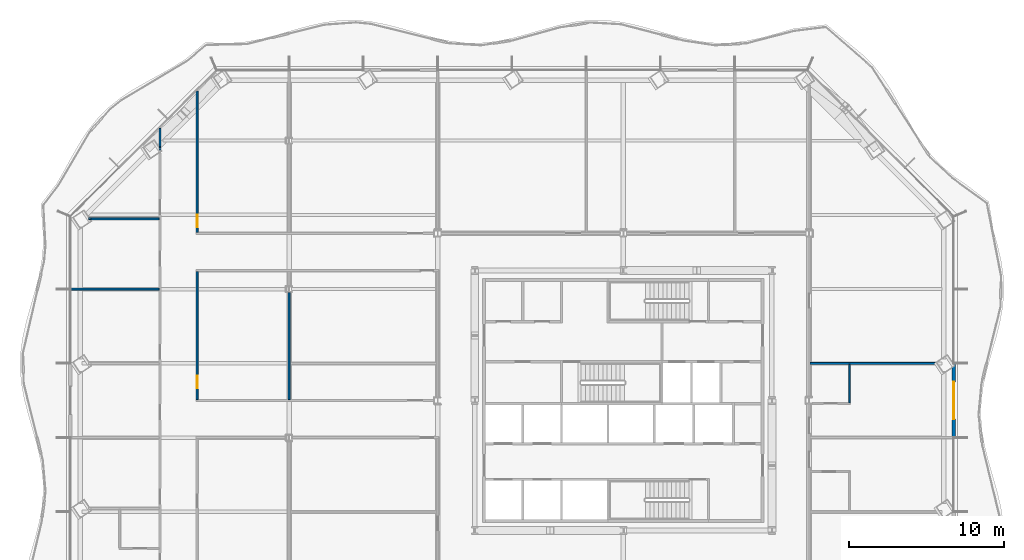
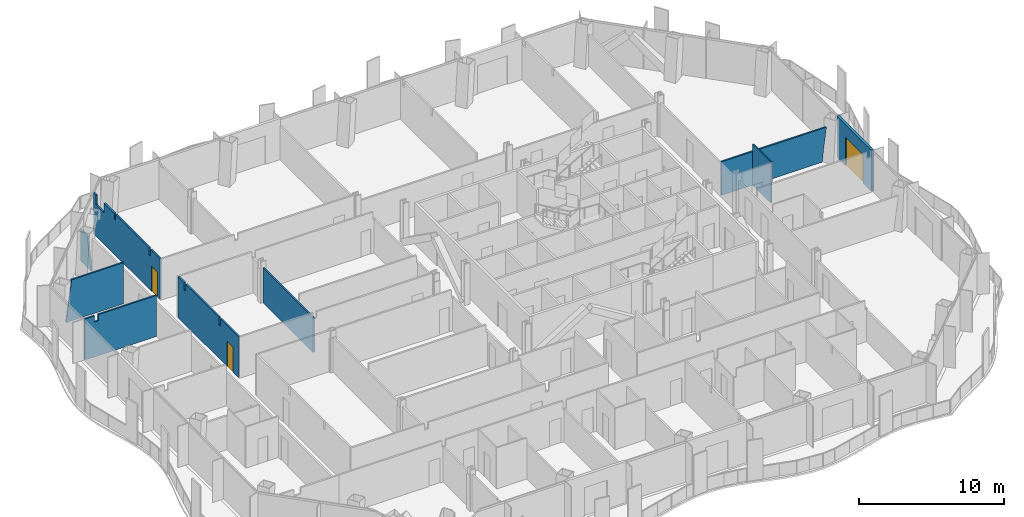
# One storey, part 11 of 20: 9 walls, 3 doors, 3 openings.
"""IFC4 building model written with IfcOpenShell, lengths in metres."""

from ifc_helpers import new_model, si_unit, direction, frame, frame_2d, origin, place, context, subcontext, project, spatial, polyline, rectangle, outline, extrude, material, layer, layer_set, type_object, element, fill, save


model = new_model("IFC4")

# Units and contexts
model_context = context("Model", 3, precision=1e-05, world=origin(), true_north=direction((0.0, 1.0)))
body_context = subcontext(model_context, "Body", "Model", "MODEL_VIEW")
ifc_project = project(units=[si_unit("LENGTHUNIT", "METRE"), si_unit("AREAUNIT", "SQUARE_METRE"), si_unit("VOLUMEUNIT", "CUBIC_METRE"), si_unit("PLANEANGLEUNIT", "RADIAN"), si_unit("MASSUNIT", "GRAM", prefix="KILO")], contexts=[model_context])

# Site, building, storey
site_placement = place(None, origin())
site = spatial("IfcSite", under=ifc_project, at=site_placement, CompositionType="ELEMENT")
building_placement = place(site_placement, origin())
building = spatial("IfcBuilding", under=site, at=building_placement, Name="Cairn Pilgrim Tower", CompositionType="ELEMENT")
storey_placement = place(building_placement, frame((0.0, 0.0, 87.0)))
storey = spatial("IfcBuildingStorey", under=building, at=storey_placement, Name="L20", CompositionType="ELEMENT", Elevation=87.0)

# Wall, opening, door
ifc_material_1 = material(Name="Bronze anodised aluminium insulated sandwich panel with mineral wool fill", Category="aluminium")
ifc_layer_1 = layer(ifc_material_1, 0.199951171875)
ifc_layer_set_1 = layer_set([ifc_layer_1], Name="BRONZE INFILL FRAME WALL 200")
wall_type_1 = type_object("IfcWallType", Name="BRONZE INFILL FRAME WALL 200", PredefinedType="NOTDEFINED", material=ifc_layer_set_1)
wall_1_placement = place(storey_placement, frame((28.550048828125, 0.030029296875, 0.0), z_axis=(0.0, 0.0, 1.0), x_axis=(0.0, 1.0, 0.0)))
wall_1 = element("IfcWall", 1, at=wall_1_placement, inside=storey, type_object=wall_type_1, Name="Bronze infill frame wall IW-E4", PredefinedType="NOTDEFINED", context=body_context, shape_type="SweptSolid", body=[
    extrude(rectangle(XDim=4.739990234375, YDim=0.199951171875, at=frame_2d((2.3701171875, 0.0))), origin(), (0.0, 0.0, 1.0), 3.449951171875),
])
opening_1_placement = place(wall_1_placement, frame((1.169921875, 0.0, 0.0)))
opening_1 = element("IfcOpeningElement", 2, at=opening_1_placement, cuts=wall_1, Name="Opening 2022B", PredefinedType="OPENING", context=body_context, shape_type="SweptSolid", body=[
    extrude(rectangle(XDim=2.39990234375, YDim=2.39990234375, at=frame_2d((1.199951171875, 1.199951171875))), frame((0.0, 0.10986328125, 0.0), z_axis=(0.0, -1.0, 0.0), x_axis=(1.0, 0.0, 0.0)), (0.0, 0.0, 1.0), 0.219970703125),
])
ifc_material_2 = material(Name="Bronze anodised aluminium frame with tinted low-E glass", Category="aluminium")
door_type_1 = type_object("IfcDoorType", Name="BALCONY SLIDING DOOR 2400x2400", OperationType="DOUBLE_DOOR_SLIDING", PredefinedType="DOOR", material=ifc_material_2)
door_1_placement = place(opening_1_placement, origin())
door_1 = element("IfcDoor", 3, at=door_1_placement, inside=storey, type_object=door_type_1, Name="Balcony sliding door 2022B", OperationType="SINGLE_SWING_LEFT", OverallHeight=2.39990234375, OverallWidth=2.39990234375, PredefinedType="DOOR", context=body_context, shape_type="SweptSolid", body=[
    extrude(rectangle(XDim=2.39990234375, YDim=2.39990234375, at=frame_2d((1.199951171875, 1.199951171875))), frame((0.0, 0.02490234375, 0.0), z_axis=(0.0, -1.0, 0.0), x_axis=(1.0, 0.0, 0.0)), (0.0, 0.0, 1.0), 0.050048828125),
])
fill(opening_1, door_1)

# Wall
ifc_material_3 = material(Name="Gypsum partition")
ifc_layer_2 = layer(ifc_material_3, 0.10009765625)
ifc_layer_set_2 = layer_set([ifc_layer_2], Name="PARTITION 100 DRYWALL")
wall_type_2 = type_object("IfcWallType", Name="PARTITION 100 DRYWALL", PredefinedType="PARTITIONING", material=ifc_layer_set_2)
wall_2_placement = place(storey_placement, frame((21.800048828125, 2.25, 0.0), z_axis=(0.0, 0.0, 1.0), x_axis=(0.0, 1.0, 0.0)))
element("IfcWall", 4, at=wall_2_placement, inside=storey, type_object=wall_type_2, Name="PARTITION W058", PredefinedType="PARTITIONING", context=body_context, shape_type="SweptSolid", body=[
    extrude(rectangle(XDim=2.487548828125, YDim=0.10009765625, at=frame_2d((1.24365234375, 0.0))), origin(), (0.0, 0.0, 1.0), 3.449951171875),
])

# Wall, opening, door
ifc_layer_3 = layer(ifc_material_3, 0.125)
ifc_layer_set_3 = layer_set([ifc_layer_3], Name="PARTITION 125 DRYWALL EI 60")
wall_type_3 = type_object("IfcWallType", Name="PARTITION 125 DRYWALL EI 60", PredefinedType="PARTITIONING", material=ifc_layer_set_3)
wall_3_placement = place(storey_placement, frame((-20.35009765625, 2.46240234375, 0.0), z_axis=(0.0, 0.0, 1.0), x_axis=(0.0, 1.0, 0.0)))
wall_3 = element("IfcWall", 5, at=wall_3_placement, inside=storey, type_object=wall_type_3, Name="PARTITION W060", PredefinedType="PARTITIONING", context=body_context, shape_type="SweptSolid", body=[
    extrude(outline(polyline([(0.0, 0.0), (8.275146484375, 0.0), (8.27490234375, 3.449951171875), (7.461181640625, 3.449951171875), (7.459228515625, 2.830078125), (7.2412109375, 2.830078125), (7.2392578125, 3.449951171875), (2.6611328125, 3.449951171875), (2.6591796875, 2.830078125), (2.441162109375, 2.830078125), (2.439208984375, 3.449951171875), (0.0, 3.449951171875), (0.0, 0.0)])), frame((0.0, 0.0625, 0.0), z_axis=(0.0, -1.0, 0.0), x_axis=(1.0, 0.0, 0.0)), (0.0, 0.0, 1.0), 0.125),
])
opening_2_placement = place(wall_3_placement, frame((0.737548828125, 0.0, 0.0)))
opening_2 = element("IfcOpeningElement", 6, at=opening_2_placement, cuts=wall_3, Name="Opening 2030", PredefinedType="OPENING", context=body_context, shape_type="SweptSolid", body=[
    extrude(rectangle(XDim=0.800048828125, YDim=2.10009765625, at=frame_2d((0.39990234375, 1.050048828125))), frame((0.0, 0.072509765625, 0.0), z_axis=(0.0, -1.0, 0.0), x_axis=(1.0, 0.0, 0.0)), (0.0, 0.0, 1.0), 0.14501953125),
])
ifc_material_4 = material(Name="Steel-faced fire door leaf", Category="steel")
door_type_2 = type_object("IfcDoorType", Name="FIRE DOOR 800x2100 FD30S", OperationType="NOTDEFINED", PredefinedType="DOOR", material=ifc_material_4)
door_2_placement = place(opening_2_placement, frame((0.800048828125, 0.0, 0.0), z_axis=(0.0, 0.0, 1.0), x_axis=(-1.0, 0.0, 0.0)))
door_2 = element("IfcDoor", 7, at=door_2_placement, inside=storey, type_object=door_type_2, Name="DOOR 2030", OperationType="SINGLE_SWING_LEFT", OverallHeight=2.10009765625, OverallWidth=0.800048828125, PredefinedType="DOOR", context=body_context, shape_type="SweptSolid", body=[
    extrude(rectangle(XDim=0.800048828125, YDim=2.10009765625, at=frame_2d((0.39990234375, 1.050048828125))), frame((0.0, 0.02490234375, 0.0), z_axis=(0.0, -1.0, 0.0), x_axis=(1.0, 0.0, 0.0)), (0.0, 0.0, 1.0), 0.050048828125),
])
fill(opening_2, door_2)

# Walls
wall_4_placement = place(storey_placement, frame((-14.39990234375, 2.46240234375, 0.0), z_axis=(0.0, 0.0, 1.0), x_axis=(0.0, 1.0, 0.0)))
element("IfcWall", 8, at=wall_4_placement, inside=storey, type_object=wall_type_3, Name="PARTITION W061", PredefinedType="PARTITIONING", context=body_context, shape_type="SweptSolid", body=[
    extrude(rectangle(XDim=6.925048828125, YDim=0.125, at=frame_2d((3.46240234375, 0.0))), origin(), (0.0, 0.0, 1.0), 2.929931640625),
])
wall_5_placement = place(storey_placement, frame((19.262451171875, 4.800048828125, 0.0), z_axis=(0.0, 0.0, 1.0), x_axis=(1.0, 0.0, 0.0)))
element("IfcWall", 9, at=wall_5_placement, inside=storey, type_object=wall_type_3, Name="PARTITION W066", PredefinedType="PARTITIONING", context=body_context, shape_type="SweptSolid", body=[
    extrude(outline(polyline([(0.0, 0.0), (8.024658203125, 0.0), (8.1015625, 0.862548828125), (8.210205078125, 1.72509765625), (8.321044921875, 2.58740234375), (8.352294921875, 2.830078125), (0.0, 2.830078125), (0.0, 2.58740234375), (0.0, 1.72509765625), (0.0, 0.862548828125), (0.0, 0.0)])), frame((0.0, 0.0625, 0.0), z_axis=(0.0, -1.0, 0.0), x_axis=(1.0, 0.0, 0.0)), (0.0, 0.0, 1.0), 0.125),
])
wall_6_placement = place(storey_placement, frame((-28.489990234375, 9.60009765625, 0.0), z_axis=(0.0, 0.0, 1.0), x_axis=(1.0, 0.0, 0.0)))
element("IfcWall", 10, at=wall_6_placement, inside=storey, type_object=wall_type_3, Name="PARTITION W067", PredefinedType="PARTITIONING", context=body_context, shape_type="SweptSolid", body=[
    extrude(outline(polyline([(0.0, 0.0), (5.677490234375, 0.0), (5.677490234375, 3.449951171875), (1.060546875, 3.449951171875), (1.05859375, 2.929931640625), (0.760498046875, 2.929931640625), (0.758544921875, 3.449951171875), (0.0, 3.449951171875), (0.0, 0.0)])), frame((0.0, 0.0625, 0.0), z_axis=(0.0, -1.0, 0.0), x_axis=(1.0, 0.0, 0.0)), (0.0, 0.0, 1.0), 0.125),
])

# Wall, opening, door
wall_7_placement = place(storey_placement, frame((-20.35009765625, 13.262451171875, 0.0), z_axis=(0.0, 0.0, 1.0), x_axis=(0.0, 1.0, 0.0)))
wall_7 = element("IfcWall", 11, at=wall_7_placement, inside=storey, type_object=wall_type_3, Name="PARTITION W073", PredefinedType="PARTITIONING", context=body_context, shape_type="SweptSolid", body=[
    extrude(outline(polyline([(0.0, 0.0), (9.126220703125, 0.0), (9.126220703125, 3.449951171875), (8.765380859375, 3.449951171875), (8.763427734375, 2.6298828125), (7.650390625, 2.6298828125), (7.6484375, 3.449951171875), (6.24609375, 3.449951171875), (6.244140625, 2.97998046875), (6.05615234375, 2.97998046875), (6.05419921875, 3.449951171875), (1.456298828125, 3.449951171875), (1.4541015625, 2.8798828125), (1.24609375, 2.8798828125), (1.244140625, 3.449951171875), (0.0, 3.449951171875), (0.0, 0.0)])), frame((0.0, 0.0625, 0.0), z_axis=(0.0, -1.0, 0.0), x_axis=(1.0, 0.0, 0.0)), (0.0, 0.0, 1.0), 0.125),
])
opening_3_placement = place(wall_7_placement, frame((0.33349609375, 0.0, 0.0)))
opening_3 = element("IfcOpeningElement", 12, at=opening_3_placement, cuts=wall_7, Name="Opening 2015", PredefinedType="OPENING", context=body_context, shape_type="SweptSolid", body=[
    extrude(rectangle(XDim=0.800048828125, YDim=2.10009765625, at=frame_2d((0.39990234375, 1.050048828125))), frame((0.0, 0.072509765625, 0.0), z_axis=(0.0, -1.0, 0.0), x_axis=(1.0, 0.0, 0.0)), (0.0, 0.0, 1.0), 0.14501953125),
])
door_3_placement = place(opening_3_placement, frame((0.800048828125, 0.0, 0.0), z_axis=(0.0, 0.0, 1.0), x_axis=(-1.0, 0.0, 0.0)))
door_3 = element("IfcDoor", 13, at=door_3_placement, inside=storey, type_object=door_type_2, Name="DOOR 2015", OperationType="SINGLE_SWING_RIGHT", OverallHeight=2.10009765625, OverallWidth=0.800048828125, PredefinedType="DOOR", context=body_context, shape_type="SweptSolid", body=[
    extrude(rectangle(XDim=0.800048828125, YDim=2.10009765625, at=frame_2d((0.39990234375, 1.050048828125))), frame((0.0, 0.02490234375, 0.0), z_axis=(0.0, -1.0, 0.0), x_axis=(1.0, 0.0, 0.0)), (0.0, 0.0, 1.0), 0.050048828125),
])
fill(opening_3, door_3)

# Walls
wall_8_placement = place(storey_placement, frame((-27.3662109375, 14.134033203125, 0.0), z_axis=(0.0, 0.0, 1.0), x_axis=(1.0, 0.0, 0.0)))
element("IfcWall", 14, at=wall_8_placement, inside=storey, type_object=wall_type_3, Name="PARTITION W079", PredefinedType="PARTITIONING", context=body_context, shape_type="SweptSolid", body=[
    extrude(outline(polyline([(0.0, 0.0), (4.5537109375, 0.0), (4.5537109375, 0.862548828125), (4.5537109375, 1.72509765625), (4.5537109375, 2.58740234375), (4.5537109375, 3.449951171875), (0.4130859375, 3.449951171875), (0.332763671875, 2.58740234375), (0.2216796875, 1.72509765625), (0.11083984375, 0.862548828125), (0.0, 0.0)])), frame((0.0, 0.0625, 0.0), z_axis=(0.0, -1.0, 0.0), x_axis=(1.0, 0.0, 0.0)), (0.0, 0.0, 1.0), 0.125),
])
wall_9_placement = place(storey_placement, frame((-22.75, 18.581787109375, 0.0), z_axis=(0.0, 0.0, 1.0), x_axis=(0.0, 1.0, 0.0)))
element("IfcWall", 15, at=wall_9_placement, inside=storey, type_object=wall_type_3, Name="PARTITION W080", PredefinedType="PARTITIONING", context=body_context, shape_type="SweptSolid", body=[
    extrude(outline(polyline([(0.0, 0.0), (1.40673828125, 0.0), (1.40673828125, 0.862548828125), (1.40673828125, 1.72509765625), (1.40673828125, 2.58740234375), (1.40673828125, 2.6298828125), (0.50732421875, 2.6298828125), (0.4990234375, 2.58740234375), (0.332763671875, 1.72509765625), (0.16650390625, 0.862548828125), (0.0, 0.0)])), frame((0.0, 0.0625, 0.0), z_axis=(0.0, -1.0, 0.0), x_axis=(1.0, 0.0, 0.0)), (0.0, 0.0, 1.0), 0.125),
])

save(model, "model.ifc")
